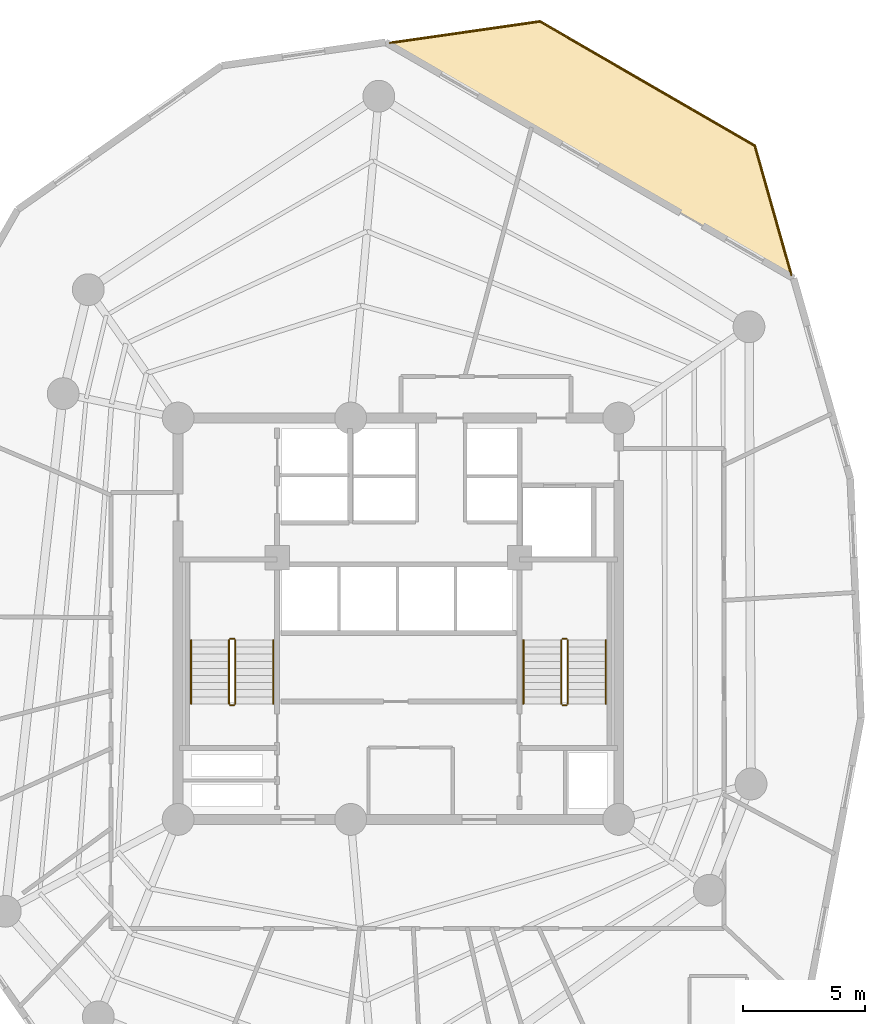
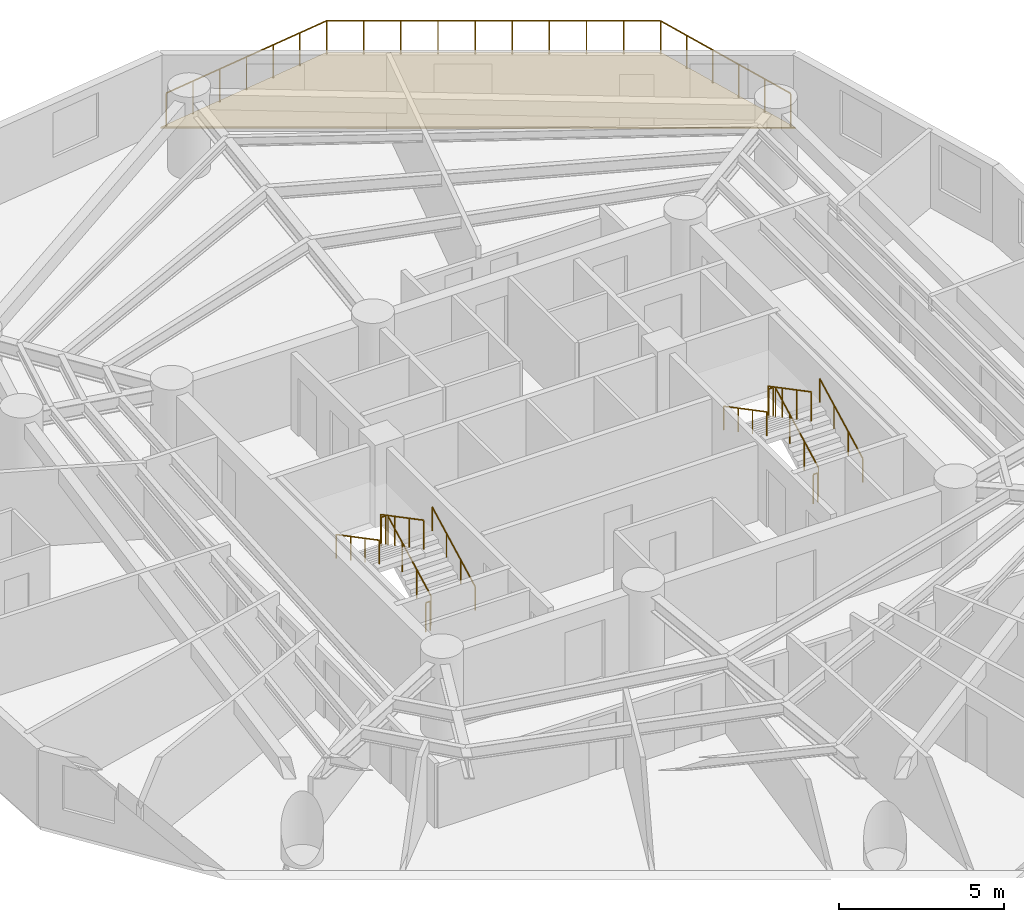
# One storey, part 7 of 7: 15 railings, 1 covering.
"""IFC4 building model written with IfcOpenShell, lengths in metres."""

import ifcopenshell
import ifcopenshell.guid

model = None  # the IFC model being written
_history = None  # IfcOwnerHistory: only IFC2X3 demands one
_inside = {}  # id of a spatial element -> (the spatial element, [elements in it])
_under = {}  # id of a project, library or spatial element -> (it, [spatial elements below it])
_declared = {}  # id of a project -> (the project, [libraries it declares])
_typed = {}  # id of a type object -> (the type object, [elements of that type])
_made_of = {}  # id of a material, layer set ... -> (it, [elements and type objects made of it])


def new_model(schema):
    """Start an empty IFC model of exactly this schema.

    Asked for "IFC4X3", IfcOpenShell would pick the latest addendum, in which some entities
    have other attributes; the version numbers below select the first issue.
    IFC2X3 requires an IfcOwnerHistory on every rooted entity: one is made here for all.
    """
    global model, _history
    if schema == "IFC4X3":
        model = ifcopenshell.file(schema_version=(4, 3, 0, 0))
    else:
        model = ifcopenshell.file(schema=schema)
    _inside.clear()
    _under.clear()
    _declared.clear()
    _typed.clear()
    _made_of.clear()
    _history = None
    if model.schema == "IFC2X3":
        org = make("IfcOrganization", Name="unknown")
        user = make(
            "IfcPersonAndOrganization",
            ThePerson=make("IfcPerson", FamilyName="unknown"),
            TheOrganization=org,
        )
        app = make(
            "IfcApplication",
            ApplicationDeveloper=org,
            Version="unknown",
            ApplicationFullName="unknown",
            ApplicationIdentifier="unknown",
        )
        _history = make(
            "IfcOwnerHistory",
            OwningUser=user,
            OwningApplication=app,
            ChangeAction="ADDED",
            CreationDate=0,
        )
    return model


def make(cls, **values):
    """One entity of the class cls with the attributes given. An attribute that is None is left unset."""
    return model.create_entity(
        cls, **{name: value for name, value in values.items() if value is not None}
    )


def rooted(cls, **values):
    """An entity with a GlobalId (a new one), such as an element, a storey or a relation."""
    return make(cls, GlobalId=ifcopenshell.guid.new(), OwnerHistory=_history, **values)


def si_unit(unit_type, name, prefix=None):
    """IfcSIUnit, for example si_unit("LENGTHUNIT", "METRE", prefix="MILLI")."""
    return make("IfcSIUnit", UnitType=unit_type, Prefix=prefix, Name=name)


def assignment(units):
    """IfcUnitAssignment: the units of a project."""
    return None if units is None else make("IfcUnitAssignment", Units=units)


def point(xyz):
    """IfcCartesianPoint."""
    return None if xyz is None else make("IfcCartesianPoint", Coordinates=xyz)


def direction(xyz):
    """IfcDirection."""
    return None if xyz is None else make("IfcDirection", DirectionRatios=xyz)


def frame(location, z_axis=None, x_axis=None):
    """IfcAxis2Placement3D, a coordinate frame: its origin and axes. An axis left out is left unset."""
    return make(
        "IfcAxis2Placement3D",
        Location=point(location),
        Axis=direction(z_axis),
        RefDirection=direction(x_axis),
    )


def frame_2d(location, x_axis=None):
    """IfcAxis2Placement2D, a coordinate frame in the plane: its origin and x axis."""
    return make(
        "IfcAxis2Placement2D", Location=point(location), RefDirection=direction(x_axis)
    )


def origin():
    """The frame at (0, 0, 0) with its axes left unset."""
    return frame((0.0, 0.0, 0.0))


def origin_2d():
    """The frame at (0, 0) in the plane with its x axis left unset."""
    return frame_2d((0.0, 0.0))


def place(relative_to, where):
    """IfcLocalPlacement: puts the frame where relative to a parent placement (None: the world)."""
    return make(
        "IfcLocalPlacement", PlacementRelTo=relative_to, RelativePlacement=where
    )


def context(
    kind, dimensions, precision=None, world=None, true_north=None, identifier=None
):
    """IfcGeometricRepresentationContext, for example the 3D "Model" context."""
    return make(
        "IfcGeometricRepresentationContext",
        ContextIdentifier=identifier,
        ContextType=kind,
        CoordinateSpaceDimension=dimensions,
        Precision=precision,
        WorldCoordinateSystem=world,
        TrueNorth=true_north,
    )


def subcontext(parent, identifier, kind, view, scale=None):
    """IfcGeometricRepresentationSubContext, for example "Body" below "Model"."""
    return make(
        "IfcGeometricRepresentationSubContext",
        ContextIdentifier=identifier,
        ContextType=kind,
        ParentContext=parent,
        TargetScale=scale,
        TargetView=view,
    )


def project(units=None, contexts=None):
    """IfcProject with its units and contexts."""
    return rooted(
        "IfcProject",
        Name="project",
        RepresentationContexts=contexts,
        UnitsInContext=assignment(units),
    )


def spatial(cls, under=None, at=None, **own):
    """A site, building, storey or space (cls), placed at a placement, below another one or the project."""
    s = rooted(cls, ObjectPlacement=at, **own)
    if under is not None:
        _under.setdefault(under.id(), (under, []))[1].append(s)
    return s


def polyline(points):
    """IfcPolyline through the points."""
    return make("IfcPolyline", Points=[point(p) for p in points])


def profile(cls, at=None, kind="AREA", **sizes):
    """A parametric profile (cls). Its sizes go by their IFC names, for example OverallWidth=200.0."""
    return make(cls, ProfileType=kind, Position=at, **sizes)


def circle(**sizes):
    """IfcCircleProfileDef."""
    return profile("IfcCircleProfileDef", **sizes)


def outline(outer, holes=None, kind="AREA"):
    """IfcArbitraryClosedProfileDef: a profile drawn as a closed curve; with holes, ...WithVoids."""
    if holes is None:
        return make("IfcArbitraryClosedProfileDef", ProfileType=kind, OuterCurve=outer)
    return make(
        "IfcArbitraryProfileDefWithVoids",
        ProfileType=kind,
        OuterCurve=outer,
        InnerCurves=holes,
    )


def extrude(swept, where, along, depth):
    """IfcExtrudedAreaSolid: the profile swept, set in the frame where, extruded along a direction by depth."""
    return make(
        "IfcExtrudedAreaSolid",
        SweptArea=swept,
        Position=where,
        ExtrudedDirection=direction(along),
        Depth=depth,
    )


def shape(context_of_items, identifier, shape_type, items):
    """IfcShapeRepresentation: the items that make up one representation, for example the "Body"."""
    return make(
        "IfcShapeRepresentation",
        ContextOfItems=context_of_items,
        RepresentationIdentifier=identifier,
        RepresentationType=shape_type,
        Items=items,
    )


def material(Name=None, Category=None):
    """IfcMaterial."""
    return make("IfcMaterial", Name=Name, Category=Category)


def layer(
    of_material, thickness, ventilated=None, Name=None, Category=None, Priority=None
):
    """IfcMaterialLayer: one layer of a wall or slab, of a material (None: an air gap)."""
    return make(
        "IfcMaterialLayer",
        Material=of_material,
        LayerThickness=thickness,
        IsVentilated=ventilated,
        Name=Name,
        Category=Category,
        Priority=Priority,
    )


def layer_set(layers, Name=None):
    """IfcMaterialLayerSet."""
    return make("IfcMaterialLayerSet", MaterialLayers=layers, LayerSetName=Name)


def made_of(thing, what):
    """Note that an element or type object is made of a material, layer set ...; save() writes the relation."""
    if what is not None:
        _made_of.setdefault(what.id(), (what, []))[1].append(thing)
    return thing


def type_object(cls, material=None, **own):
    """A type object (cls), such as IfcWallType, which elements share."""
    return made_of(rooted(cls, **own), material)


def element(
    cls,
    number,
    at=None,
    inside=None,
    cuts=None,
    type_object=None,
    material=None,
    context=None,
    identifier="Body",
    shape_type=None,
    held_by="IfcProductDefinitionShape",
    body=None,
    shapes=None,
    **own,
):
    """One element of the class cls, such as IfcWall. Its Tag is "e" and its number.

    at: its placement. inside: the storey or other place that contains it. cuts: it is an
    opening in that element (IfcRelVoidsElement). A single representation is given by context,
    identifier, shape_type and body (its items); several are given by shapes. held_by: the class
    of the entity that holds the representations. save() writes the other relations.
    """
    e = rooted(cls, Tag="e%d" % number, ObjectPlacement=at, **own)
    if body is not None:
        shapes = [shape(context, identifier, shape_type, body)]
    if shapes is not None:
        e.Representation = make(held_by, Representations=shapes)
    if inside is not None:
        _inside.setdefault(inside.id(), (inside, []))[1].append(e)
    if cuts is not None:
        rooted(
            "IfcRelVoidsElement", RelatingBuildingElement=cuts, RelatedOpeningElement=e
        )
    if type_object is not None:
        _typed.setdefault(type_object.id(), (type_object, []))[1].append(e)
    return made_of(e, material)


def aggregate(whole, parts):
    """IfcRelAggregates: a whole, such as a stair, and the parts it consists of."""
    return rooted("IfcRelAggregates", RelatingObject=whole, RelatedObjects=parts)


def save(model, path):
    """Write the relations noted so far, then the file.

    IfcRelAggregates (storeys below a building ...), IfcRelContainedInSpatialStructure (elements
    in a storey), IfcRelDefinesByType, IfcRelAssociatesMaterial and IfcRelDeclares: one each for
    every whole, place, type object, material and project.
    """
    for whole, parts in _under.values():
        aggregate(whole, parts)
    for where, things in _inside.values():
        rooted(
            "IfcRelContainedInSpatialStructure",
            RelatedElements=things,
            RelatingStructure=where,
        )
    for kind, things in _typed.values():
        rooted("IfcRelDefinesByType", RelatedObjects=things, RelatingType=kind)
    for what, things in _made_of.values():
        rooted("IfcRelAssociatesMaterial", RelatedObjects=things, RelatingMaterial=what)
    for by, libraries in _declared.values():
        rooted("IfcRelDeclares", RelatingContext=by, RelatedDefinitions=libraries)
    model.write(path)


model = new_model("IFC4")

# Units and contexts
model_context = context("Model", 3, precision=1e-05, world=origin(), true_north=direction((0.0, 1.0)))
body_context = subcontext(model_context, "Body", "Model", "MODEL_VIEW")
ifc_project = project(units=[si_unit("LENGTHUNIT", "METRE"), si_unit("AREAUNIT", "SQUARE_METRE"), si_unit("VOLUMEUNIT", "CUBIC_METRE"), si_unit("PLANEANGLEUNIT", "RADIAN"), si_unit("MASSUNIT", "GRAM", prefix="KILO")], contexts=[model_context])

# Site, building, storey
site_placement = place(None, origin())
site = spatial("IfcSite", under=ifc_project, at=site_placement, CompositionType="ELEMENT")
building_placement = place(site_placement, origin())
building = spatial("IfcBuilding", under=site, at=building_placement, Name="Karkom Vertical University and Central Library", CompositionType="ELEMENT")
storey_placement = place(building_placement, frame((0.0, 0.0, 193.14990234375)))
storey = spatial("IfcBuildingStorey", under=building, at=storey_placement, Name="L56", CompositionType="ELEMENT", Elevation=193.14990234375)

# Covering
ifc_material_1 = material(Name="EPDM membrane with Kota stone ballast roofing", Category="masonry")
ifc_layer_1 = layer(ifc_material_1, 0.080078125)
ifc_layer_set_1 = layer_set([ifc_layer_1], Name="EPDM membrane with Kota stone ballast roofing")
covering_type = type_object("IfcCoveringType", Name="ENV-COV-ROOF", PredefinedType="ROOFING", material=ifc_layer_set_1)
covering_placement = place(storey_placement, origin())
element("IfcCovering", 1, at=covering_placement, inside=storey, type_object=covering_type, Name="Level 56 Spiral Sky Garden Waterproofing Covering", PredefinedType="ROOFING", context=body_context, shape_type="SweptSolid", body=[
    extrude(outline(polyline([(44.651611328125, 40.4072265625), (43.107177734375, 45.864013671875), (34.293212890625, 50.962890625), (27.97265625, 50.05615234375), (44.651611328125, 40.4072265625)])), origin(), (0.0, 0.0, 1.0), 0.06005859375),
])

# Railings
ifc_material_2 = material(Name="Architectural painted steel & laminated glass balustrade", Category="steel")
ifc_layer_2 = layer(ifc_material_2, 0.090087890625)
ifc_layer_set_2 = layer_set([ifc_layer_2], Name="Architectural painted steel & laminated glass balustrade")
railing_type_1 = type_object("IfcRailingType", Name="ENV-RL-BAL1300", PredefinedType="BALUSTRADE", material=ifc_layer_set_2)
railing_1_placement = place(storey_placement, frame((28.152587890625, 50.021240234375, 0.0)))
element("IfcRailing", 2, at=railing_1_placement, inside=storey, type_object=railing_type_1, Name="Level 56 Planted Terrace Safety Balustrade 01", PredefinedType="BALUSTRADE", context=body_context, shape_type="SweptSolid", body=[
    extrude(circle(Radius=0.02392578125, at=origin_2d()), frame((0.0, 0.0, 1.27587890625), z_axis=(0.98986096941, 0.142039646714, 0.0), x_axis=(-0.142039646714, 0.98986096941, 0.0)), (0.0, 0.0, 1.0), 6.191162109375),
    extrude(circle(Radius=0.02099609375, at=origin_2d()), origin(), (0.0, 0.0, 1.0), 1.251953125),
    extrude(circle(Radius=0.02099609375, at=origin_2d()), frame((1.021484375, 0.146484375, 0.0)), (0.0, 0.0, 1.0), 1.251953125),
    extrude(circle(Radius=0.02099609375, at=origin_2d()), frame((2.042724609375, 0.293212890625, 0.0)), (0.0, 0.0, 1.0), 1.251953125),
    extrude(circle(Radius=0.02099609375, at=origin_2d()), frame((3.064208984375, 0.439697265625, 0.0)), (0.0, 0.0, 1.0), 1.251953125),
    extrude(circle(Radius=0.02099609375, at=origin_2d()), frame((4.085693359375, 0.586181640625, 0.0)), (0.0, 0.0, 1.0), 1.251953125),
    extrude(circle(Radius=0.02099609375, at=origin_2d()), frame((5.10693359375, 0.73291015625, 0.0)), (0.0, 0.0, 1.0), 1.251953125),
    extrude(circle(Radius=0.02099609375, at=origin_2d()), frame((6.12841796875, 0.87939453125, 0.0)), (0.0, 0.0, 1.0), 1.251953125),
])
railing_2_placement = place(storey_placement, frame((34.281005859375, 50.900634765625, 0.0)))
element("IfcRailing", 3, at=railing_2_placement, inside=storey, type_object=railing_type_1, Name="Level 56 Planted Terrace Safety Balustrade 02", PredefinedType="BALUSTRADE", context=body_context, shape_type="SweptSolid", body=[
    extrude(circle(Radius=0.02392578125, at=origin_2d()), frame((0.0, 0.0, 1.27587890625), z_axis=(0.865588375192, -0.500756192904, 0.0), x_axis=(0.500756192904, 0.865588375192, 0.0)), (0.0, 0.0, 1.0), 10.137451171875),
    extrude(circle(Radius=0.02099609375, at=origin_2d()), origin(), (0.0, 0.0, 1.0), 1.251953125),
    extrude(circle(Radius=0.02099609375, at=origin_2d()), frame((0.97509765625, -0.56396484375, 0.0)), (0.0, 0.0, 1.0), 1.251953125),
    extrude(circle(Radius=0.02099609375, at=origin_2d()), frame((1.949951171875, -1.128173828125, 0.0)), (0.0, 0.0, 1.0), 1.251953125),
    extrude(circle(Radius=0.02099609375, at=origin_2d()), frame((2.925048828125, -1.692138671875, 0.0)), (0.0, 0.0, 1.0), 1.251953125),
    extrude(circle(Radius=0.02099609375, at=origin_2d()), frame((3.89990234375, -2.256103515625, 0.0)), (0.0, 0.0, 1.0), 1.251953125),
    extrude(circle(Radius=0.02099609375, at=origin_2d()), frame((4.875, -2.8203125, 0.0)), (0.0, 0.0, 1.0), 1.251953125),
    extrude(circle(Radius=0.02099609375, at=origin_2d()), frame((5.849853515625, -3.38427734375, 0.0)), (0.0, 0.0, 1.0), 1.251953125),
    extrude(circle(Radius=0.02099609375, at=origin_2d()), frame((6.824951171875, -3.9482421875, 0.0)), (0.0, 0.0, 1.0), 1.251953125),
    extrude(circle(Radius=0.02099609375, at=origin_2d()), frame((7.7998046875, -4.512451171875, 0.0)), (0.0, 0.0, 1.0), 1.251953125),
    extrude(circle(Radius=0.02099609375, at=origin_2d()), frame((8.77490234375, -5.076416015625, 0.0)), (0.0, 0.0, 1.0), 1.251953125),
])
railing_3_placement = place(storey_placement, frame((43.055908203125, 45.82421875, 0.0)))
element("IfcRailing", 4, at=railing_3_placement, inside=storey, type_object=railing_type_1, Name="Level 56 Planted Terrace Safety Balustrade 03", PredefinedType="BALUSTRADE", context=body_context, shape_type="SweptSolid", body=[
    extrude(circle(Radius=0.02392578125, at=origin_2d()), frame((0.0, 0.0, 1.27587890625), z_axis=(0.272380633179, -0.962189581459, 0.0), x_axis=(0.962189581459, 0.272380633179, 0.0)), (0.0, 0.0, 1.0), 5.4990234375),
    extrude(circle(Radius=0.02099609375, at=origin_2d()), origin(), (0.0, 0.0, 1.0), 1.251953125),
    extrude(circle(Radius=0.02099609375, at=origin_2d()), frame((0.299560546875, -1.05810546875, 0.0)), (0.0, 0.0, 1.0), 1.251953125),
    extrude(circle(Radius=0.02099609375, at=origin_2d()), frame((0.59912109375, -2.116455078125, 0.0)), (0.0, 0.0, 1.0), 1.251953125),
    extrude(circle(Radius=0.02099609375, at=origin_2d()), frame((0.898681640625, -3.174560546875, 0.0)), (0.0, 0.0, 1.0), 1.251953125),
    extrude(circle(Radius=0.02099609375, at=origin_2d()), frame((1.1982421875, -4.23291015625, 0.0)), (0.0, 0.0, 1.0), 1.251953125),
    extrude(circle(Radius=0.02099609375, at=origin_2d()), frame((1.497802734375, -5.291015625, 0.0)), (0.0, 0.0, 1.0), 1.251953125),
])
ifc_material_3 = material(Name="Painted galvanised steel balustrade", Category="steel")
ifc_layer_3 = layer(ifc_material_3, 0.06005859375)
ifc_layer_set_3 = layer_set([ifc_layer_3], Name="Painted galvanised steel balustrade")
railing_type_2 = type_object("IfcRailingType", Name="INT-RL-GUARD1100", PredefinedType="GUARDRAIL", material=ifc_layer_set_3)
railing_4_placement = place(storey_placement, frame((21.840087890625, 23.02001953125, 0.152587890625)))
element("IfcRailing", 5, at=railing_4_placement, inside=storey, type_object=railing_type_2, Name="Level 56 ST-1 stair guard 1", PredefinedType="GUARDRAIL", context=body_context, shape_type="SweptSolid", body=[
    extrude(circle(Radius=0.02392578125, at=origin_2d()), frame((0.0, 0.0, 1.076171875), z_axis=(0.0, 0.885065446896, 0.46546659892), x_axis=(-1.0, 0.0, 0.0)), (0.0, 0.0, 1.0), 2.94873046875),
    extrude(circle(Radius=0.02099609375, at=origin_2d()), origin(), (0.0, 0.0, 1.0), 1.052001953125),
    extrude(circle(Radius=0.02099609375, at=origin_2d()), frame((0.0, 0.869873046875, 0.45751953125)), (0.0, 0.0, 1.0), 1.052001953125),
    extrude(circle(Radius=0.02099609375, at=origin_2d()), frame((0.0, 1.739990234375, 0.9150390625)), (0.0, 0.0, 1.0), 1.052001953125),
    extrude(circle(Radius=0.02099609375, at=origin_2d()), frame((0.0, 2.60986328125, 1.37255859375)), (0.0, 0.0, 1.0), 1.052001953125),
])
railing_5_placement = place(storey_placement, frame((21.7900390625, 25.679931640625, 1.525146484375)))
element("IfcRailing", 6, at=railing_5_placement, inside=storey, type_object=railing_type_2, Name="Level 56 ST-1 stair guard 2", PredefinedType="GUARDRAIL", context=body_context, shape_type="SweptSolid", body=[
    extrude(circle(Radius=0.02392578125, at=origin_2d()), frame((0.0, 0.0, 1.076171875), z_axis=(-1.0, 0.0, 0.0), x_axis=(0.0, -1.0, 0.0)), (0.0, 0.0, 1.0), 0.16015625),
    extrude(circle(Radius=0.02099609375, at=origin_2d()), origin(), (0.0, 0.0, 1.0), 1.052001953125),
    extrude(circle(Radius=0.02099609375, at=origin_2d()), frame((-0.16015625, 0.0, 0.0)), (0.0, 0.0, 1.0), 1.052001953125),
])
railing_6_placement = place(storey_placement, frame((21.580078125, 25.6298828125, 1.677490234375)))
element("IfcRailing", 7, at=railing_6_placement, inside=storey, type_object=railing_type_2, Name="Level 56 ST-1 stair guard 3", PredefinedType="GUARDRAIL", context=body_context, shape_type="SweptSolid", body=[
    extrude(circle(Radius=0.02392578125, at=origin_2d()), frame((0.0, 0.0, 1.076171875), z_axis=(0.0, -0.885065446896, 0.46546659892), x_axis=(1.0, 0.0, 0.0)), (0.0, 0.0, 1.0), 2.94873046875),
    extrude(circle(Radius=0.02099609375, at=origin_2d()), origin(), (0.0, 0.0, 1.0), 1.052001953125),
    extrude(circle(Radius=0.02099609375, at=origin_2d()), frame((0.0, -0.869873046875, 0.45751953125)), (0.0, 0.0, 1.0), 1.052001953125),
    extrude(circle(Radius=0.02099609375, at=origin_2d()), frame((0.0, -1.739990234375, 0.9150390625)), (0.0, 0.0, 1.0), 1.052001953125),
    extrude(circle(Radius=0.02099609375, at=origin_2d()), frame((0.0, -2.60986328125, 1.37255859375)), (0.0, 0.0, 1.0), 1.052001953125),
])
railing_7_placement = place(storey_placement, frame((21.7900390625, 22.969970703125, 0.0)))
element("IfcRailing", 8, at=railing_7_placement, inside=storey, type_object=railing_type_2, Name="Level 56 ST-1 stair guard 4", PredefinedType="GUARDRAIL", context=body_context, shape_type="SweptSolid", body=[
    extrude(circle(Radius=0.02392578125, at=origin_2d()), frame((0.0, 0.0, 1.076171875), z_axis=(-1.0, 0.0, 0.0), x_axis=(0.0, -1.0, 0.0)), (0.0, 0.0, 1.0), 0.16015625),
    extrude(circle(Radius=0.02099609375, at=origin_2d()), origin(), (0.0, 0.0, 1.0), 1.052001953125),
    extrude(circle(Radius=0.02099609375, at=origin_2d()), frame((-0.16015625, 0.0, 0.0)), (0.0, 0.0, 1.0), 1.052001953125),
])
railing_8_placement = place(storey_placement, frame((35.419921875, 23.02001953125, 0.152587890625)))
element("IfcRailing", 9, at=railing_8_placement, inside=storey, type_object=railing_type_2, Name="Level 56 ST-2 stair guard 1", PredefinedType="GUARDRAIL", context=body_context, shape_type="SweptSolid", body=[
    extrude(circle(Radius=0.02392578125, at=origin_2d()), frame((0.0, 0.0, 1.076171875), z_axis=(0.0, 0.885065446896, 0.46546659892), x_axis=(-1.0, 0.0, 0.0)), (0.0, 0.0, 1.0), 2.94873046875),
    extrude(circle(Radius=0.02099609375, at=origin_2d()), origin(), (0.0, 0.0, 1.0), 1.052001953125),
    extrude(circle(Radius=0.02099609375, at=origin_2d()), frame((0.0, 0.869873046875, 0.45751953125)), (0.0, 0.0, 1.0), 1.052001953125),
    extrude(circle(Radius=0.02099609375, at=origin_2d()), frame((0.0, 1.739990234375, 0.9150390625)), (0.0, 0.0, 1.0), 1.052001953125),
    extrude(circle(Radius=0.02099609375, at=origin_2d()), frame((0.0, 2.60986328125, 1.37255859375)), (0.0, 0.0, 1.0), 1.052001953125),
])
railing_9_placement = place(storey_placement, frame((35.3701171875, 25.679931640625, 1.525146484375)))
element("IfcRailing", 10, at=railing_9_placement, inside=storey, type_object=railing_type_2, Name="Level 56 ST-2 stair guard 2", PredefinedType="GUARDRAIL", context=body_context, shape_type="SweptSolid", body=[
    extrude(circle(Radius=0.02392578125, at=origin_2d()), frame((0.0, 0.0, 1.076171875), z_axis=(-1.0, 0.0, 0.0), x_axis=(0.0, -1.0, 0.0)), (0.0, 0.0, 1.0), 0.16015625),
    extrude(circle(Radius=0.02099609375, at=origin_2d()), origin(), (0.0, 0.0, 1.0), 1.052001953125),
    extrude(circle(Radius=0.02099609375, at=origin_2d()), frame((-0.16015625, 0.0, 0.0)), (0.0, 0.0, 1.0), 1.052001953125),
])
railing_10_placement = place(storey_placement, frame((35.159912109375, 25.6298828125, 1.677490234375)))
element("IfcRailing", 11, at=railing_10_placement, inside=storey, type_object=railing_type_2, Name="Level 56 ST-2 stair guard 3", PredefinedType="GUARDRAIL", context=body_context, shape_type="SweptSolid", body=[
    extrude(circle(Radius=0.02392578125, at=origin_2d()), frame((0.0, 0.0, 1.076171875), z_axis=(0.0, -0.885065446896, 0.46546659892), x_axis=(1.0, 0.0, 0.0)), (0.0, 0.0, 1.0), 2.94873046875),
    extrude(circle(Radius=0.02099609375, at=origin_2d()), origin(), (0.0, 0.0, 1.0), 1.052001953125),
    extrude(circle(Radius=0.02099609375, at=origin_2d()), frame((0.0, -0.869873046875, 0.45751953125)), (0.0, 0.0, 1.0), 1.052001953125),
    extrude(circle(Radius=0.02099609375, at=origin_2d()), frame((0.0, -1.739990234375, 0.9150390625)), (0.0, 0.0, 1.0), 1.052001953125),
    extrude(circle(Radius=0.02099609375, at=origin_2d()), frame((0.0, -2.60986328125, 1.37255859375)), (0.0, 0.0, 1.0), 1.052001953125),
])
railing_11_placement = place(storey_placement, frame((35.3701171875, 22.969970703125, 0.0)))
element("IfcRailing", 12, at=railing_11_placement, inside=storey, type_object=railing_type_2, Name="Level 56 ST-2 stair guard 4", PredefinedType="GUARDRAIL", context=body_context, shape_type="SweptSolid", body=[
    extrude(circle(Radius=0.02392578125, at=origin_2d()), frame((0.0, 0.0, 1.076171875), z_axis=(-1.0, 0.0, 0.0), x_axis=(0.0, -1.0, 0.0)), (0.0, 0.0, 1.0), 0.16015625),
    extrude(circle(Radius=0.02099609375, at=origin_2d()), origin(), (0.0, 0.0, 1.0), 1.052001953125),
    extrude(circle(Radius=0.02099609375, at=origin_2d()), frame((-0.16015625, 0.0, 0.0)), (0.0, 0.0, 1.0), 1.052001953125),
])
ifc_material_4 = material(Name="Brushed stainless-steel tubular handrail", Category="steel")
ifc_layer_4 = layer(ifc_material_4, 0.048095703125)
ifc_layer_set_4 = layer_set([ifc_layer_4], Name="Brushed stainless-steel tubular handrail")
railing_type_3 = type_object("IfcRailingType", Name="INT-RL-HAND920", PredefinedType="HANDRAIL", material=ifc_layer_set_4)
railing_12_placement = place(storey_placement, frame((23.389892578125, 23.02001953125, 0.152587890625)))
element("IfcRailing", 13, at=railing_12_placement, inside=storey, type_object=railing_type_3, Name="Level 56 ST-1 stair handrail 1", PredefinedType="HANDRAIL", context=body_context, shape_type="SweptSolid", body=[
    extrude(circle(Radius=0.02392578125, at=origin_2d()), frame((0.0, 0.0, 0.8759765625), z_axis=(0.0, 0.885065446896, 0.46546659892), x_axis=(-1.0, 0.0, 0.0)), (0.0, 0.0, 1.0), 2.94873046875),
    extrude(circle(Radius=0.02099609375, at=origin_2d()), origin(), (0.0, 0.0, 1.0), 0.851806640625),
    extrude(circle(Radius=0.02099609375, at=origin_2d()), frame((0.0, 0.869873046875, 0.45751953125)), (0.0, 0.0, 1.0), 0.851806640625),
    extrude(circle(Radius=0.02099609375, at=origin_2d()), frame((0.0, 1.739990234375, 0.9150390625)), (0.0, 0.0, 1.0), 0.851806640625),
    extrude(circle(Radius=0.02099609375, at=origin_2d()), frame((0.0, 2.60986328125, 1.37255859375)), (0.0, 0.0, 1.0), 0.851806640625),
])
railing_13_placement = place(storey_placement, frame((20.030029296875, 25.6298828125, 1.677490234375)))
element("IfcRailing", 14, at=railing_13_placement, inside=storey, type_object=railing_type_3, Name="Level 56 ST-1 stair handrail 2", PredefinedType="HANDRAIL", context=body_context, shape_type="SweptSolid", body=[
    extrude(circle(Radius=0.02392578125, at=origin_2d()), frame((0.0, 0.0, 0.8759765625), z_axis=(0.0, -0.885065446896, 0.46546659892), x_axis=(1.0, 0.0, 0.0)), (0.0, 0.0, 1.0), 2.94873046875),
    extrude(circle(Radius=0.02099609375, at=origin_2d()), origin(), (0.0, 0.0, 1.0), 0.851806640625),
    extrude(circle(Radius=0.02099609375, at=origin_2d()), frame((0.0, -0.869873046875, 0.45751953125)), (0.0, 0.0, 1.0), 0.851806640625),
    extrude(circle(Radius=0.02099609375, at=origin_2d()), frame((0.0, -1.739990234375, 0.9150390625)), (0.0, 0.0, 1.0), 0.851806640625),
    extrude(circle(Radius=0.02099609375, at=origin_2d()), frame((0.0, -2.60986328125, 1.37255859375)), (0.0, 0.0, 1.0), 0.851806640625),
])
railing_14_placement = place(storey_placement, frame((36.969970703125, 23.02001953125, 0.152587890625)))
element("IfcRailing", 15, at=railing_14_placement, inside=storey, type_object=railing_type_3, Name="Level 56 ST-2 stair handrail 1", PredefinedType="HANDRAIL", context=body_context, shape_type="SweptSolid", body=[
    extrude(circle(Radius=0.02392578125, at=origin_2d()), frame((0.0, 0.0, 0.8759765625), z_axis=(0.0, 0.885065446896, 0.46546659892), x_axis=(-1.0, 0.0, 0.0)), (0.0, 0.0, 1.0), 2.94873046875),
    extrude(circle(Radius=0.02099609375, at=origin_2d()), origin(), (0.0, 0.0, 1.0), 0.851806640625),
    extrude(circle(Radius=0.02099609375, at=origin_2d()), frame((0.0, 0.869873046875, 0.45751953125)), (0.0, 0.0, 1.0), 0.851806640625),
    extrude(circle(Radius=0.02099609375, at=origin_2d()), frame((0.0, 1.739990234375, 0.9150390625)), (0.0, 0.0, 1.0), 0.851806640625),
    extrude(circle(Radius=0.02099609375, at=origin_2d()), frame((0.0, 2.60986328125, 1.37255859375)), (0.0, 0.0, 1.0), 0.851806640625),
])
railing_15_placement = place(storey_placement, frame((33.610107421875, 25.6298828125, 1.677490234375)))
element("IfcRailing", 16, at=railing_15_placement, inside=storey, type_object=railing_type_3, Name="Level 56 ST-2 stair handrail 2", PredefinedType="HANDRAIL", context=body_context, shape_type="SweptSolid", body=[
    extrude(circle(Radius=0.02392578125, at=origin_2d()), frame((0.0, 0.0, 0.8759765625), z_axis=(0.0, -0.885065446896, 0.46546659892), x_axis=(1.0, 0.0, 0.0)), (0.0, 0.0, 1.0), 2.94873046875),
    extrude(circle(Radius=0.02099609375, at=origin_2d()), origin(), (0.0, 0.0, 1.0), 0.851806640625),
    extrude(circle(Radius=0.02099609375, at=origin_2d()), frame((0.0, -0.869873046875, 0.45751953125)), (0.0, 0.0, 1.0), 0.851806640625),
    extrude(circle(Radius=0.02099609375, at=origin_2d()), frame((0.0, -1.739990234375, 0.9150390625)), (0.0, 0.0, 1.0), 0.851806640625),
    extrude(circle(Radius=0.02099609375, at=origin_2d()), frame((0.0, -2.60986328125, 1.37255859375)), (0.0, 0.0, 1.0), 0.851806640625),
])

save(model, "model.ifc")
